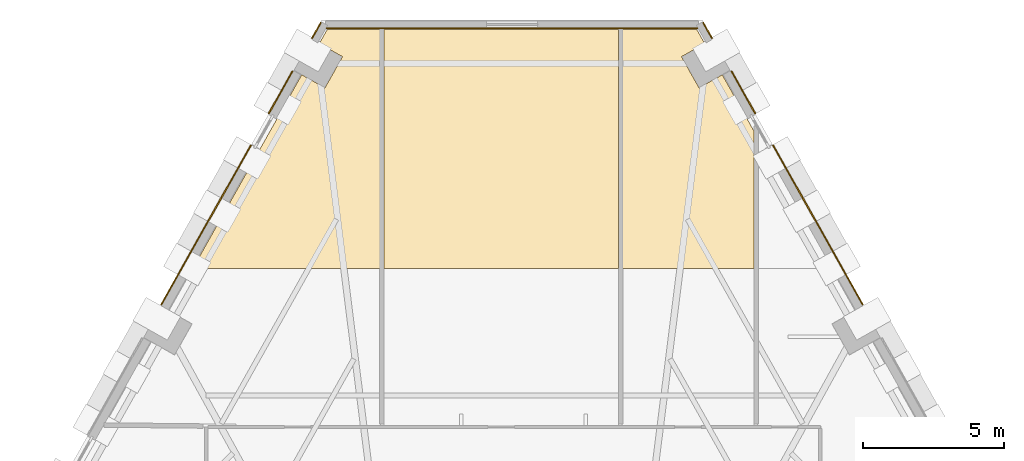
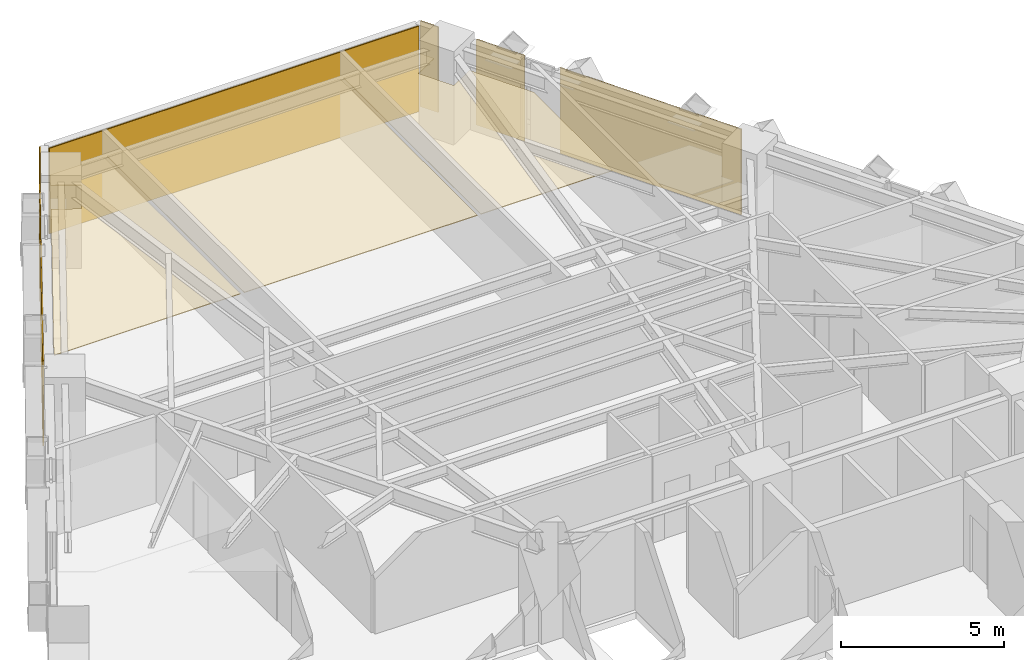
# One storey, part 13 of 13: 10 coverings.
"""IFC4 building model written with IfcOpenShell, lengths in metres."""

from ifc_helpers import new_model, si_unit, direction, frame, origin, place, context, subcontext, project, spatial, polyline, outline, extrude, material, layer, layer_set, type_object, element, save


model = new_model("IFC4")

# Units and contexts
model_context = context("Model", 3, precision=1e-05, world=origin(), true_north=direction((0.0, 1.0)))
body_context = subcontext(model_context, "Body", "Model", "MODEL_VIEW")
ifc_project = project(units=[si_unit("LENGTHUNIT", "METRE"), si_unit("AREAUNIT", "SQUARE_METRE"), si_unit("VOLUMEUNIT", "CUBIC_METRE"), si_unit("PLANEANGLEUNIT", "RADIAN"), si_unit("MASSUNIT", "GRAM", prefix="KILO")], contexts=[model_context])

# Site, building, storey
site_placement = place(None, origin())
site = spatial("IfcSite", under=ifc_project, at=site_placement, CompositionType="ELEMENT")
building_placement = place(site_placement, origin())
building = spatial("IfcBuilding", under=site, at=building_placement, Name="Quenlor Broadcast Tower", CompositionType="ELEMENT")
storey_placement = place(building_placement, frame((0.0, 0.0, 69.60009765625)))
storey = spatial("IfcBuildingStorey", under=building, at=storey_placement, Name="L18", CompositionType="ELEMENT", Elevation=69.60009765625)

# Coverings
ifc_material_1 = material(Name="Acoustic Mineral Fibre Board", Category="other")
ifc_layer_1 = layer(ifc_material_1, 0.02490234375)
ifc_layer_set_1 = layer_set([ifc_layer_1], Name="Acoustic Perforated Mineral Tile Ceiling 25")
covering_type_1 = type_object("IfcCoveringType", Name="Acoustic Perforated Mineral Tile Ceiling 25", PredefinedType="CEILING", material=ifc_layer_set_1)
covering_1_placement = place(storey_placement, frame((0.0, 0.0, 2.224853515625)))
element("IfcCovering", 1, at=covering_1_placement, inside=storey, type_object=covering_type_1, Name="L18 Acoustic Ceiling L18-30-2", PredefinedType="CEILING", context=body_context, shape_type="SweptSolid", body=[
    extrude(outline(polyline([(-4.52001953125, 21.092041015625), (3.760009765625, 21.092041015625), (3.760009765625, 12.64990234375), (-4.52001953125, 12.64990234375), (-4.52001953125, 21.092041015625)])), origin(), (0.0, 0.0, 1.0), 0.025146484375),
])
covering_2_placement = place(storey_placement, frame((0.0, 0.0, 2.224853515625)))
element("IfcCovering", 2, at=covering_2_placement, inside=storey, type_object=covering_type_1, Name="L18 Acoustic Ceiling L18-31-2", PredefinedType="CEILING", context=body_context, shape_type="SweptSolid", body=[
    extrude(outline(polyline([(6.609619140625, 19.03271484375), (7.431396484375, 19.4951171875), (8.56005859375, 17.48876953125), (8.56005859375, 12.64990234375), (3.8798828125, 12.64990234375), (3.8798828125, 21.092041015625), (6.533203125, 21.092041015625), (6.810791015625, 20.598388671875), (5.989013671875, 20.135986328125), (6.609619140625, 19.03271484375)])), origin(), (0.0, 0.0, 1.0), 0.025146484375),
])
covering_3_placement = place(storey_placement, frame((0.0, 0.0, 2.224853515625)))
element("IfcCovering", 3, at=covering_3_placement, inside=storey, type_object=covering_type_1, Name="L18 Acoustic Ceiling L18-32-2", PredefinedType="CEILING", context=body_context, shape_type="SweptSolid", body=[
    extrude(outline(polyline([(-7.431396484375, 19.4951171875), (-6.609619140625, 19.03271484375), (-5.989013671875, 20.135986328125), (-6.810791015625, 20.598388671875), (-6.533203125, 21.092041015625), (-4.639892578125, 21.092041015625), (-4.639892578125, 12.64990234375), (-11.28173828125, 12.64990234375), (-7.431396484375, 19.4951171875)])), origin(), (0.0, 0.0, 1.0), 0.025146484375),
])
ifc_material_2 = material(Name="Architectural Terracotta Ceramic", Category="masonry")
ifc_layer_2 = layer(ifc_material_2, 0.044921875)
ifc_layer_set_2 = layer_set([ifc_layer_2], Name="Fluted Terracotta Rainscreen Cladding Panel")
covering_type_2 = type_object("IfcCoveringType", Name="Fluted Terracotta Rainscreen Cladding Panel", PredefinedType="CLADDING", material=ifc_layer_set_2)
covering_4_placement = place(storey_placement, frame((0.0, 0.0, 0.02001953125)))
element("IfcCovering", 4, at=covering_4_placement, inside=storey, type_object=covering_type_2, Name="L18 Terracotta Rainscreen Cladding L18-SHD-NES0", PredefinedType="CLADDING", context=body_context, shape_type="SweptSolid", body=[
    extrude(outline(polyline([(6.734130859375, 21.330078125), (7.052001953125, 20.76513671875), (7.09130859375, 20.787109375), (6.7734375, 21.35205078125), (6.734130859375, 21.330078125)])), origin(), (0.0, 0.0, 1.0), 3.2099609375),
])
covering_5_placement = place(storey_placement, frame((0.0, 0.0, 0.02001953125)))
element("IfcCovering", 5, at=covering_5_placement, inside=storey, type_object=covering_type_2, Name="L18 Terracotta Rainscreen Cladding L18-NEA-SP1", PredefinedType="CLADDING", context=body_context, shape_type="SweptSolid", body=[
    extrude(outline(polyline([(7.735107421875, 19.612060546875), (8.57958984375, 18.110595703125), (8.618896484375, 18.1328125), (7.7744140625, 19.634033203125), (7.735107421875, 19.612060546875)])), origin(), (0.0, 0.0, 1.0), 3.2099609375),
])
covering_6_placement = place(storey_placement, frame((0.0, 0.0, 0.02001953125)))
element("IfcCovering", 6, at=covering_6_placement, inside=storey, type_object=covering_type_2, Name="L18 Terracotta Rainscreen Cladding L18-NEA-SP2", PredefinedType="CLADDING", context=body_context, shape_type="SweptSolid", body=[
    extrude(outline(polyline([(9.201904296875, 17.00439453125), (12.380615234375, 11.353515625), (12.419677734375, 11.37548828125), (9.2412109375, 17.0263671875), (9.201904296875, 17.00439453125)])), origin(), (0.0, 0.0, 1.0), 3.2099609375),
])
covering_7_placement = place(storey_placement, frame((0.0, 0.0, 0.02001953125)))
element("IfcCovering", 7, at=covering_7_placement, inside=storey, type_object=covering_type_2, Name="L18 Terracotta Rainscreen Cladding L18-SHD-NWS1", PredefinedType="CLADDING", context=body_context, shape_type="SweptSolid", body=[
    extrude(outline(polyline([(-7.052001953125, 20.76513671875), (-6.734130859375, 21.330078125), (-6.7734375, 21.35205078125), (-7.09130859375, 20.787109375), (-7.052001953125, 20.76513671875)])), origin(), (0.0, 0.0, 1.0), 3.2099609375),
])
covering_8_placement = place(storey_placement, frame((0.0, 0.0, 0.02001953125)))
element("IfcCovering", 8, at=covering_8_placement, inside=storey, type_object=covering_type_2, Name="L18 Terracotta Rainscreen Cladding L18-NWC-SP1", PredefinedType="CLADDING", context=body_context, shape_type="SweptSolid", body=[
    extrude(outline(polyline([(-12.380615234375, 11.353515625), (-9.201904296875, 17.00439453125), (-9.2412109375, 17.0263671875), (-12.419677734375, 11.37548828125), (-12.380615234375, 11.353515625)])), origin(), (0.0, 0.0, 1.0), 3.2099609375),
])
covering_9_placement = place(storey_placement, frame((0.0, 0.0, 0.02001953125)))
element("IfcCovering", 9, at=covering_9_placement, inside=storey, type_object=covering_type_2, Name="L18 Terracotta Rainscreen Cladding L18-NWC-SP2", PredefinedType="CLADDING", context=body_context, shape_type="SweptSolid", body=[
    extrude(outline(polyline([(-8.57958984375, 18.110595703125), (-7.735107421875, 19.612060546875), (-7.7744140625, 19.634033203125), (-8.618896484375, 18.1328125), (-8.57958984375, 18.110595703125)])), origin(), (0.0, 0.0, 1.0), 3.2099609375),
])
covering_10_placement = place(storey_placement, frame((0.0, 0.0, 0.02001953125)))
element("IfcCovering", 10, at=covering_10_placement, inside=storey, type_object=covering_type_2, Name="L18 Terracotta Rainscreen Cladding L18-CNR-02", PredefinedType="CLADDING", context=body_context, shape_type="SweptSolid", body=[
    extrude(outline(polyline([(6.568359375, 21.159912109375), (-6.558349609375, 21.159912109375), (-6.558349609375, 21.114990234375), (6.568359375, 21.114990234375), (6.568359375, 21.159912109375)])), origin(), (0.0, 0.0, 1.0), 3.2099609375),
])

save(model, "model.ifc")
